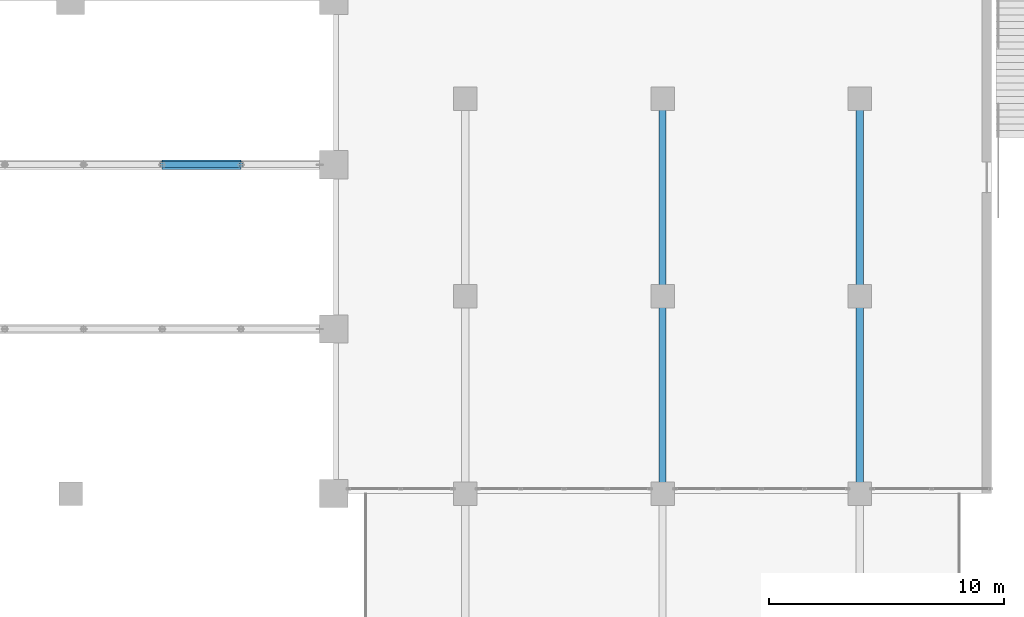
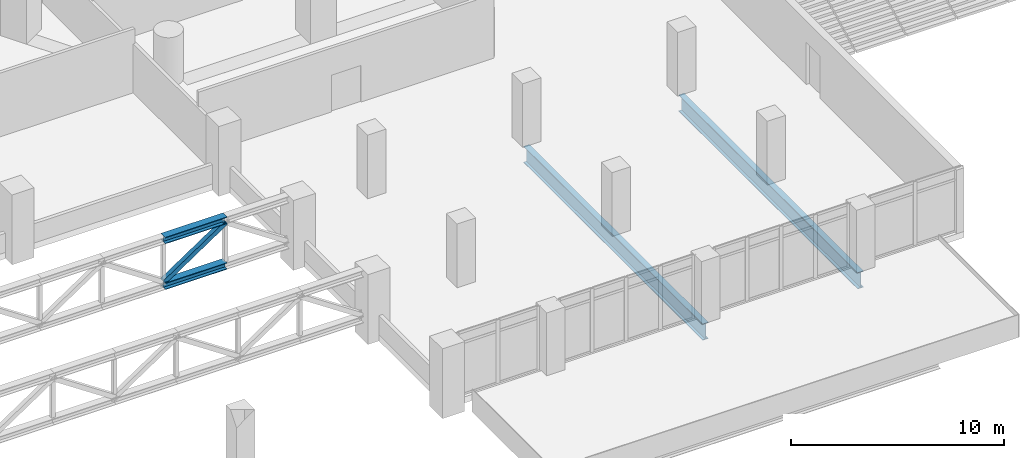
# One storey, part 7 of 24: 3 members, 2 beams.
"""IFC4 building model written with IfcOpenShell, lengths in metres."""

import ifcopenshell
import ifcopenshell.guid

model = None  # the IFC model being written
_history = None  # IfcOwnerHistory: only IFC2X3 demands one
_inside = {}  # id of a spatial element -> (the spatial element, [elements in it])
_under = {}  # id of a project, library or spatial element -> (it, [spatial elements below it])
_declared = {}  # id of a project -> (the project, [libraries it declares])
_typed = {}  # id of a type object -> (the type object, [elements of that type])
_made_of = {}  # id of a material, layer set ... -> (it, [elements and type objects made of it])


def new_model(schema):
    """Start an empty IFC model of exactly this schema.

    Asked for "IFC4X3", IfcOpenShell would pick the latest addendum, in which some entities
    have other attributes; the version numbers below select the first issue.
    IFC2X3 requires an IfcOwnerHistory on every rooted entity: one is made here for all.
    """
    global model, _history
    if schema == "IFC4X3":
        model = ifcopenshell.file(schema_version=(4, 3, 0, 0))
    else:
        model = ifcopenshell.file(schema=schema)
    _inside.clear()
    _under.clear()
    _declared.clear()
    _typed.clear()
    _made_of.clear()
    _history = None
    if model.schema == "IFC2X3":
        org = make("IfcOrganization", Name="unknown")
        user = make(
            "IfcPersonAndOrganization",
            ThePerson=make("IfcPerson", FamilyName="unknown"),
            TheOrganization=org,
        )
        app = make(
            "IfcApplication",
            ApplicationDeveloper=org,
            Version="unknown",
            ApplicationFullName="unknown",
            ApplicationIdentifier="unknown",
        )
        _history = make(
            "IfcOwnerHistory",
            OwningUser=user,
            OwningApplication=app,
            ChangeAction="ADDED",
            CreationDate=0,
        )
    return model


def make(cls, **values):
    """One entity of the class cls with the attributes given. An attribute that is None is left unset."""
    return model.create_entity(
        cls, **{name: value for name, value in values.items() if value is not None}
    )


def rooted(cls, **values):
    """An entity with a GlobalId (a new one), such as an element, a storey or a relation."""
    return make(cls, GlobalId=ifcopenshell.guid.new(), OwnerHistory=_history, **values)


def si_unit(unit_type, name, prefix=None):
    """IfcSIUnit, for example si_unit("LENGTHUNIT", "METRE", prefix="MILLI")."""
    return make("IfcSIUnit", UnitType=unit_type, Prefix=prefix, Name=name)


def assignment(units):
    """IfcUnitAssignment: the units of a project."""
    return None if units is None else make("IfcUnitAssignment", Units=units)


def point(xyz):
    """IfcCartesianPoint."""
    return None if xyz is None else make("IfcCartesianPoint", Coordinates=xyz)


def direction(xyz):
    """IfcDirection."""
    return None if xyz is None else make("IfcDirection", DirectionRatios=xyz)


def frame(location, z_axis=None, x_axis=None):
    """IfcAxis2Placement3D, a coordinate frame: its origin and axes. An axis left out is left unset."""
    return make(
        "IfcAxis2Placement3D",
        Location=point(location),
        Axis=direction(z_axis),
        RefDirection=direction(x_axis),
    )


def frame_2d(location, x_axis=None):
    """IfcAxis2Placement2D, a coordinate frame in the plane: its origin and x axis."""
    return make(
        "IfcAxis2Placement2D", Location=point(location), RefDirection=direction(x_axis)
    )


def origin():
    """The frame at (0, 0, 0) with its axes left unset."""
    return frame((0.0, 0.0, 0.0))


def origin_2d():
    """The frame at (0, 0) in the plane with its x axis left unset."""
    return frame_2d((0.0, 0.0))


def place(relative_to, where):
    """IfcLocalPlacement: puts the frame where relative to a parent placement (None: the world)."""
    return make(
        "IfcLocalPlacement", PlacementRelTo=relative_to, RelativePlacement=where
    )


def context(
    kind, dimensions, precision=None, world=None, true_north=None, identifier=None
):
    """IfcGeometricRepresentationContext, for example the 3D "Model" context."""
    return make(
        "IfcGeometricRepresentationContext",
        ContextIdentifier=identifier,
        ContextType=kind,
        CoordinateSpaceDimension=dimensions,
        Precision=precision,
        WorldCoordinateSystem=world,
        TrueNorth=true_north,
    )


def subcontext(parent, identifier, kind, view, scale=None):
    """IfcGeometricRepresentationSubContext, for example "Body" below "Model"."""
    return make(
        "IfcGeometricRepresentationSubContext",
        ContextIdentifier=identifier,
        ContextType=kind,
        ParentContext=parent,
        TargetScale=scale,
        TargetView=view,
    )


def project(units=None, contexts=None):
    """IfcProject with its units and contexts."""
    return rooted(
        "IfcProject",
        Name="project",
        RepresentationContexts=contexts,
        UnitsInContext=assignment(units),
    )


def spatial(cls, under=None, at=None, **own):
    """A site, building, storey or space (cls), placed at a placement, below another one or the project."""
    s = rooted(cls, ObjectPlacement=at, **own)
    if under is not None:
        _under.setdefault(under.id(), (under, []))[1].append(s)
    return s


def profile(cls, at=None, kind="AREA", **sizes):
    """A parametric profile (cls). Its sizes go by their IFC names, for example OverallWidth=200.0."""
    return make(cls, ProfileType=kind, Position=at, **sizes)


def hollow_rectangle(**sizes):
    """IfcRectangleHollowProfileDef."""
    return profile("IfcRectangleHollowProfileDef", **sizes)


def i_section(**sizes):
    """IfcIShapeProfileDef."""
    return profile("IfcIShapeProfileDef", **sizes)


def extrude(swept, where, along, depth):
    """IfcExtrudedAreaSolid: the profile swept, set in the frame where, extruded along a direction by depth."""
    return make(
        "IfcExtrudedAreaSolid",
        SweptArea=swept,
        Position=where,
        ExtrudedDirection=direction(along),
        Depth=depth,
    )


def shape(context_of_items, identifier, shape_type, items):
    """IfcShapeRepresentation: the items that make up one representation, for example the "Body"."""
    return make(
        "IfcShapeRepresentation",
        ContextOfItems=context_of_items,
        RepresentationIdentifier=identifier,
        RepresentationType=shape_type,
        Items=items,
    )


def material(Name=None, Category=None):
    """IfcMaterial."""
    return make("IfcMaterial", Name=Name, Category=Category)


def material_profile(
    of_material, cross_section, Name=None, Category=None, Priority=None
):
    """IfcMaterialProfile: a cross section and its material."""
    return make(
        "IfcMaterialProfile",
        Name=Name,
        Material=of_material,
        Profile=cross_section,
        Priority=Priority,
        Category=Category,
    )


def profile_set(profiles, Name=None, composite=None):
    """IfcMaterialProfileSet."""
    return make(
        "IfcMaterialProfileSet",
        Name=Name,
        MaterialProfiles=profiles,
        CompositeProfile=composite,
    )


def made_of(thing, what):
    """Note that an element or type object is made of a material, layer set ...; save() writes the relation."""
    if what is not None:
        _made_of.setdefault(what.id(), (what, []))[1].append(thing)
    return thing


def type_object(cls, material=None, **own):
    """A type object (cls), such as IfcWallType, which elements share."""
    return made_of(rooted(cls, **own), material)


def element(
    cls,
    number,
    at=None,
    inside=None,
    cuts=None,
    type_object=None,
    material=None,
    context=None,
    identifier="Body",
    shape_type=None,
    held_by="IfcProductDefinitionShape",
    body=None,
    shapes=None,
    **own,
):
    """One element of the class cls, such as IfcWall. Its Tag is "e" and its number.

    at: its placement. inside: the storey or other place that contains it. cuts: it is an
    opening in that element (IfcRelVoidsElement). A single representation is given by context,
    identifier, shape_type and body (its items); several are given by shapes. held_by: the class
    of the entity that holds the representations. save() writes the other relations.
    """
    e = rooted(cls, Tag="e%d" % number, ObjectPlacement=at, **own)
    if body is not None:
        shapes = [shape(context, identifier, shape_type, body)]
    if shapes is not None:
        e.Representation = make(held_by, Representations=shapes)
    if inside is not None:
        _inside.setdefault(inside.id(), (inside, []))[1].append(e)
    if cuts is not None:
        rooted(
            "IfcRelVoidsElement", RelatingBuildingElement=cuts, RelatedOpeningElement=e
        )
    if type_object is not None:
        _typed.setdefault(type_object.id(), (type_object, []))[1].append(e)
    return made_of(e, material)


def aggregate(whole, parts):
    """IfcRelAggregates: a whole, such as a stair, and the parts it consists of."""
    return rooted("IfcRelAggregates", RelatingObject=whole, RelatedObjects=parts)


def save(model, path):
    """Write the relations noted so far, then the file.

    IfcRelAggregates (storeys below a building ...), IfcRelContainedInSpatialStructure (elements
    in a storey), IfcRelDefinesByType, IfcRelAssociatesMaterial and IfcRelDeclares: one each for
    every whole, place, type object, material and project.
    """
    for whole, parts in _under.values():
        aggregate(whole, parts)
    for where, things in _inside.values():
        rooted(
            "IfcRelContainedInSpatialStructure",
            RelatedElements=things,
            RelatingStructure=where,
        )
    for kind, things in _typed.values():
        rooted("IfcRelDefinesByType", RelatedObjects=things, RelatingType=kind)
    for what, things in _made_of.values():
        rooted("IfcRelAssociatesMaterial", RelatedObjects=things, RelatingMaterial=what)
    for by, libraries in _declared.values():
        rooted("IfcRelDeclares", RelatingContext=by, RelatedDefinitions=libraries)
    model.write(path)


model = new_model("IFC4")

# Units and contexts
model_context = context("Model", 3, precision=1e-05, world=origin(), true_north=direction((0.0, 1.0)))
body_context = subcontext(model_context, "Body", "Model", "MODEL_VIEW")
ifc_project = project(units=[si_unit("LENGTHUNIT", "METRE"), si_unit("AREAUNIT", "SQUARE_METRE"), si_unit("VOLUMEUNIT", "CUBIC_METRE"), si_unit("PLANEANGLEUNIT", "RADIAN"), si_unit("MASSUNIT", "GRAM", prefix="KILO")], contexts=[model_context])

# Site, building, storey
site_placement = place(None, origin())
site = spatial("IfcSite", under=ifc_project, at=site_placement, CompositionType="ELEMENT")
building_placement = place(site_placement, origin())
building = spatial("IfcBuilding", under=site, at=building_placement, Name="Ostrander Bayou Hotel Tower", CompositionType="ELEMENT")
storey_placement = place(building_placement, frame((0.0, 0.0, 6.0)))
storey = spatial("IfcBuildingStorey", under=building, at=storey_placement, Name="L01", CompositionType="ELEMENT", Elevation=6.0)

# Members
ifc_material_1 = material(Name="Steel ASTM A992", Category="steel")
ifc_material_profile_1 = material_profile(ifc_material_1, i_section(OverallWidth=0.3955078125, OverallDepth=0.38037109375, WebThickness=0.01904296875, FlangeThickness=0.0302734375, at=origin_2d()))
ifc_profile_set_1 = profile_set([ifc_material_profile_1], Name="Steel ASTM A992")
member_type_1 = type_object("IfcMemberType", Name="BR1 ballroom truss chord W14x159", PredefinedType="CHORD", material=ifc_profile_set_1)
for number, where, z_axis, x_axis, name in (
    (1, (-21.300048828125, -36.39990234375, 0.840087890625), (1.0, 0.0, 0.0), (0.0, 1.0, 0.0), "BR1 T2 B7"),
    (2, (-21.300048828125, -36.39990234375, 3.459716796875), (1.0, 0.0, 0.0), (0.0, 1.0, 0.0), "BR1 T2 T7"),
):
    element("IfcMember", number, at=place(storey_placement, frame(where, z_axis=z_axis, x_axis=x_axis)), inside=storey, type_object=member_type_1, Name=name, PredefinedType="CHORD", context=body_context, shape_type="SweptSolid", body=[
        extrude(i_section(OverallWidth=0.3955078125, OverallDepth=0.38037109375, WebThickness=0.01904296875, FlangeThickness=0.0302734375, at=origin_2d()), origin(), (0.0, 0.0, 1.0), 3.35009765625),
    ])
ifc_material_2 = material(Name="Steel ASTM A500 Gr C", Category="steel")
ifc_material_profile_2 = material_profile(ifc_material_2, hollow_rectangle(XDim=0.25390625, YDim=0.25390625, WallThickness=0.01171875, at=origin_2d()))
ifc_profile_set_2 = profile_set([ifc_material_profile_2], Name="Steel ASTM A500 Gr C")
member_type_2 = type_object("IfcMemberType", Name="BR2 ballroom truss diagonal HSS10x10x1/2", PredefinedType="BRACE", material=ifc_profile_set_2)
member_placement = place(storey_placement, frame((-21.300048828125, -36.39990234375, 1.030517578125), z_axis=(0.831406556146, 0.0, 0.555664591635), x_axis=(0.0, 1.0, 0.0)))
element("IfcMember", 3, at=member_placement, inside=storey, type_object=member_type_2, Name="BR2 T2 D7", PredefinedType="BRACE", context=body_context, shape_type="SweptSolid", body=[
    extrude(hollow_rectangle(XDim=0.25390625, YDim=0.25390625, WallThickness=0.01171875, at=origin_2d()), origin(), (0.0, 0.0, 1.0), 4.029541015625),
])

# Beams
ifc_material_3 = material(Name="Steel ASTM A992", Category="steel")
ifc_material_profile_3 = material_profile(ifc_material_3, i_section(OverallWidth=0.307861328125, OverallDepth=0.94287109375, WebThickness=0.022216796875, FlangeThickness=0.039794921875, at=origin_2d()))
ifc_profile_set_3 = profile_set([ifc_material_profile_3], Name="Steel ASTM A992")
beam_type = type_object("IfcBeamType", Name="CG1 canopy girder W36x232", PredefinedType="BEAM", material=ifc_profile_set_3)
for number, where, z_axis, x_axis, name in (
    (4, (0.0, -33.60009765625, -0.8212890625), (0.0, -1.0, 0.0), (1.0, 0.0, 0.0), "CG1 G2 back span"),
    (5, (8.39990234375, -33.60009765625, -0.8212890625), (0.0, -1.0, 0.0), (1.0, 0.0, 0.0), "CG1 G3 back span"),
):
    element("IfcBeam", number, at=place(storey_placement, frame(where, z_axis=z_axis, x_axis=x_axis)), inside=storey, type_object=beam_type, Name=name, PredefinedType="BEAM", context=body_context, shape_type="SweptSolid", body=[
        extrude(i_section(OverallWidth=0.307861328125, OverallDepth=0.94287109375, WebThickness=0.022216796875, FlangeThickness=0.039794921875, at=origin_2d()), origin(), (0.0, 0.0, 1.0), 16.7998046875),
    ])

save(model, "model.ifc")
